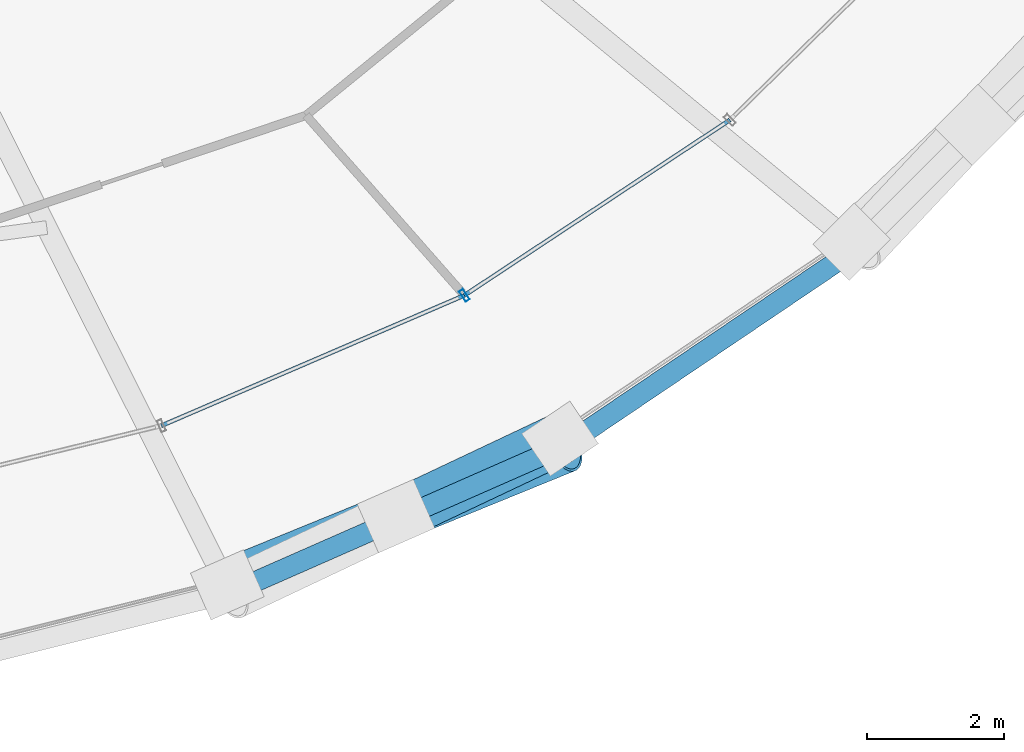
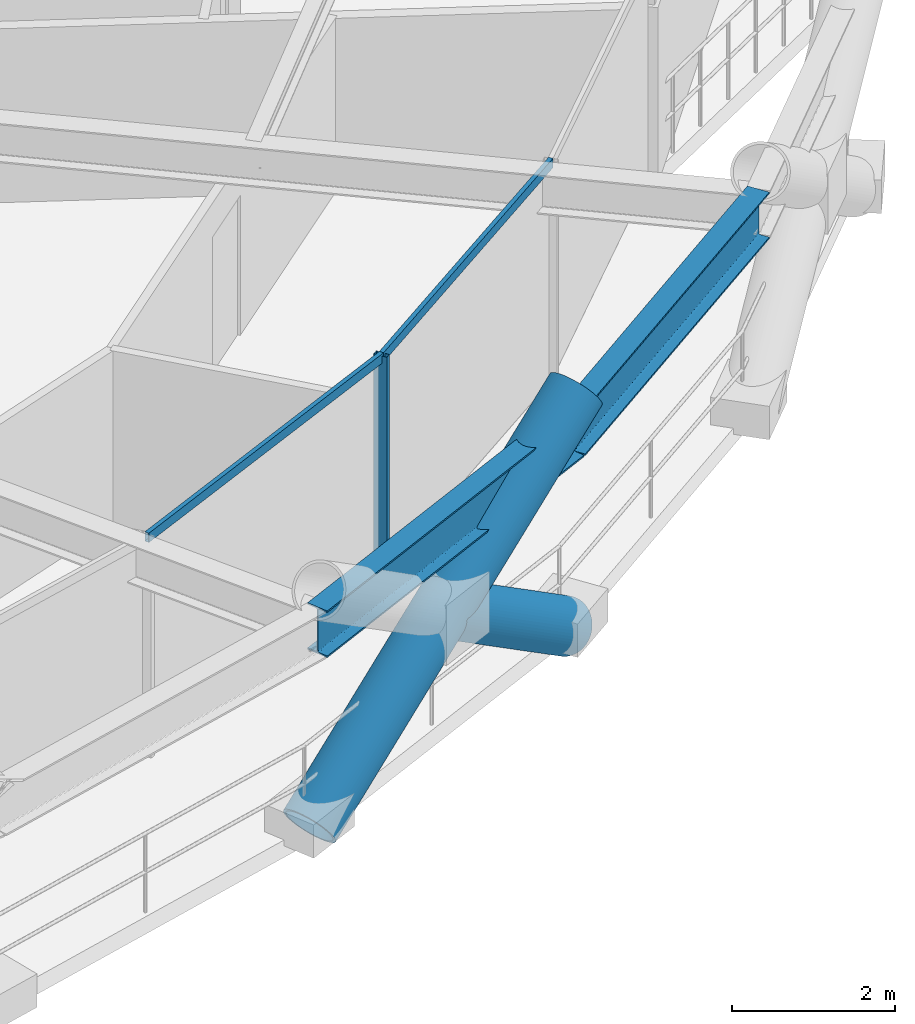
# One storey, part 8 of 19: 5 members, 2 beams, 1 element without a shape of its own.
"""IFC4 building model written with IfcOpenShell, lengths in metres."""

from ifc_helpers import new_model, si_unit, direction, frame, origin, origin_2d, place, context, subcontext, project, spatial, hollow_rectangle, hollow_circle, i_section, extrude, material, layer, layer_set, material_profile, profile_set, type_object, element, aggregate, save


model = new_model("IFC4")

# Units and contexts
model_context = context("Model", 3, precision=1e-05, world=origin(), true_north=direction((0.0, 1.0)))
body_context = subcontext(model_context, "Body", "Model", "MODEL_VIEW")
ifc_project = project(units=[si_unit("LENGTHUNIT", "METRE"), si_unit("AREAUNIT", "SQUARE_METRE"), si_unit("VOLUMEUNIT", "CUBIC_METRE"), si_unit("PLANEANGLEUNIT", "RADIAN"), si_unit("MASSUNIT", "GRAM", prefix="KILO")], contexts=[model_context])

# Site, building, storey
site_placement = place(None, origin())
site = spatial("IfcSite", under=ifc_project, at=site_placement, CompositionType="ELEMENT")
building_placement = place(site_placement, origin())
building = spatial("IfcBuilding", under=site, at=building_placement, Name="Veldorina Hangang Commons", CompositionType="ELEMENT")
storey_placement = place(building_placement, frame((0.0, 0.0, 44.800048828125)))
storey = spatial("IfcBuildingStorey", under=building, at=storey_placement, Name="L10", CompositionType="ELEMENT", Elevation=44.800048828125)

# Beams
ifc_material_1 = material(Name="Steel SM460-TMC", Category="steel")
ifc_material_profile_1 = material_profile(ifc_material_1, i_section(OverallWidth=0.300048828125, OverallDepth=0.699951171875, WebThickness=0.012939453125, FlangeThickness=0.02392578125, FilletRadius=0.02197265625, at=origin_2d()), Name="H-700x300x13x24")
ifc_profile_set_1 = profile_set([ifc_material_profile_1], Name="Steel SM460-TMC")
beam_type = type_object("IfcBeamType", Name="BM-RB700", PredefinedType="BEAM", material=ifc_profile_set_1)
beam_1_placement = place(storey_placement, frame((42.819580078125, 2.49853515625, 2.989990234375), z_axis=(0.915319077128, 0.402729421628, 0.0), x_axis=(-0.402729421628, 0.915319077128, 0.0)))
element("IfcBeam", 1, at=beam_1_placement, inside=storey, type_object=beam_type, Name="L10 perimeter hoop ring beam 26", PredefinedType="BEAM", context=body_context, shape_type="SweptSolid", body=[
    extrude(i_section(OverallWidth=0.300048828125, OverallDepth=0.699951171875, WebThickness=0.012939453125, FlangeThickness=0.02392578125, FilletRadius=0.02197265625, at=origin_2d()), origin(), (0.0, 0.0, 1.0), 5.340087890625),
])
beam_2_placement = place(storey_placement, frame((47.70751953125, 4.649169921875, 2.989990234375), z_axis=(0.828657041131, 0.559756650861, 0.0), x_axis=(-0.559756650861, 0.828657041131, 0.0)))
element("IfcBeam", 2, at=beam_2_placement, inside=storey, type_object=beam_type, Name="L10 perimeter hoop ring beam 27", PredefinedType="BEAM", context=body_context, shape_type="SweptSolid", body=[
    extrude(i_section(OverallWidth=0.300048828125, OverallDepth=0.699951171875, WebThickness=0.012939453125, FlangeThickness=0.02392578125, FilletRadius=0.02197265625, at=origin_2d()), origin(), (0.0, 0.0, 1.0), 5.170654296875),
])

# Curtain wall, members
ifc_material_2 = material(Name="Glass Low-E Triple IGU", Category="glass")
ifc_layer = layer(ifc_material_2, 0.179931640625)
ifc_layer_set = layer_set([ifc_layer], Name="Glass Low-E Triple IGU")
curtain_wall_type = type_object("IfcCurtainWallType", Name="CW-SYS-Z1", PredefinedType="NOTDEFINED", material=ifc_layer_set)
curtain_wall_placement = place(storey_placement, origin())
curtain_wall = element("IfcCurtainWall", 3, at=curtain_wall_placement, inside=storey, type_object=curtain_wall_type, Name="L10 unitised curtain wall CW-L10-R2", PredefinedType="NOTDEFINED")
ifc_material_3 = material(Name="Aluminium Anodized AA6063-T6", Category="aluminium")
ifc_material_profile_2 = material_profile(ifc_material_3, hollow_rectangle(XDim=0.070068359375, YDim=0.179931640625, WallThickness=0.00390625, at=origin_2d()), Name="ALU-RHS-180x70x4")
ifc_profile_set_2 = profile_set([ifc_material_profile_2], Name="Aluminium Anodized AA6063-T6")
member_type_1 = type_object("IfcMemberType", Name="CW-MUL-180", PredefinedType="MULLION", material=ifc_profile_set_2)
member_1_placement = place(storey_placement, frame((46.23974609375, 6.84619140625, 0.0), z_axis=(0.0, 0.0, 1.0), x_axis=(0.834386400687, 0.551179947339, 0.0)))
member_1 = element("IfcMember", 4, at=member_1_placement, type_object=member_type_1, Name="CW-L10-R2 vertical mullion 4", PredefinedType="MULLION", context=body_context, shape_type="SweptSolid", body=[
    extrude(hollow_rectangle(XDim=0.070068359375, YDim=0.179931640625, WallThickness=0.00390625, at=origin_2d()), origin(), (0.0, 0.0, 1.0), 3.300048828125),
])
ifc_material_profile_3 = material_profile(ifc_material_3, hollow_rectangle(XDim=0.06005859375, YDim=0.139892578125, WallThickness=0.00341796875, at=origin_2d()), Name="ALU-RHS-140x60x3.5")
ifc_profile_set_3 = profile_set([ifc_material_profile_3], Name="Aluminium Anodized AA6063-T6")
member_type_2 = type_object("IfcMemberType", Name="CW-TRN-140", PredefinedType="USERDEFINED", material=ifc_profile_set_3)
member_2_placement = place(storey_placement, frame((41.80859375, 4.939697265625, 3.260009765625), z_axis=(0.918586517501, 0.395219951249, 0.0), x_axis=(-0.395219951249, 0.918586517501, 0.0)))
member_2 = element("IfcMember", 5, at=member_2_placement, type_object=member_type_2, Name="CW-L10-R2 facet 3 transom 1", ObjectType="TRANSOM", PredefinedType="USERDEFINED", context=body_context, shape_type="SweptSolid", body=[
    extrude(hollow_rectangle(XDim=0.06005859375, YDim=0.139892578125, WallThickness=0.00341796875, at=origin_2d()), origin(), (0.0, 0.0, 1.0), 4.823974609375),
])
member_3_placement = place(storey_placement, frame((46.23974609375, 6.84619140625, 3.260009765625), z_axis=(0.834390884236, 0.55117316, 0.0), x_axis=(-0.55117316, 0.834390884236, 0.0)))
member_3 = element("IfcMember", 6, at=member_3_placement, type_object=member_type_2, Name="CW-L10-R2 facet 4 transom 1", ObjectType="TRANSOM", PredefinedType="USERDEFINED", context=body_context, shape_type="SweptSolid", body=[
    extrude(hollow_rectangle(XDim=0.06005859375, YDim=0.139892578125, WallThickness=0.00341796875, at=origin_2d()), origin(), (0.0, 0.0, 1.0), 4.655029296875),
])
aggregate(curtain_wall, [member_1, member_2, member_3])

# Members
ifc_material_profile_4 = material_profile(ifc_material_1, hollow_circle(Radius=0.375, WallThickness=0.035888671875, at=origin_2d()), Name="CHS-750x36")
ifc_profile_set_4 = profile_set([ifc_material_profile_4], Name="Steel SM460-TMC")
member_type_3 = type_object("IfcMemberType", Name="DG-CHS750", PredefinedType="BRACE", material=ifc_profile_set_4)
member_4_placement = place(storey_placement, frame((42.772705078125, 2.611328125, 0.0), z_axis=(0.768029756298, 0.313046958388, 0.558687654495), x_axis=(-0.377447803378, 0.926030861108, 0.0)))
element("IfcMember", 7, at=member_4_placement, inside=storey, type_object=member_type_3, Name="L10 continuous perimeter diagrid brace 26", PredefinedType="BRACE", context=body_context, shape_type="SweptSolid", body=[
    extrude(hollow_circle(Radius=0.375, WallThickness=0.035888671875, at=origin_2d()), origin(), (0.0, 0.0, 1.0), 6.443359375),
])
member_5_placement = place(storey_placement, frame((47.6396484375, 4.750732421875, 0.0), z_axis=(-0.748879539406, -0.353825959241, 0.560345095477), x_axis=(0.427192285675, -0.904160799338, 0.0)))
element("IfcMember", 8, at=member_5_placement, inside=storey, type_object=member_type_3, Name="L10 split perimeter diagrid lower brace 27", PredefinedType="BRACE", context=body_context, shape_type="SweptSolid", body=[
    extrude(hollow_circle(Radius=0.375, WallThickness=0.035888671875, at=origin_2d()), origin(), (0.0, 0.0, 1.0), 3.20361328125),
])

save(model, "model.ifc")
